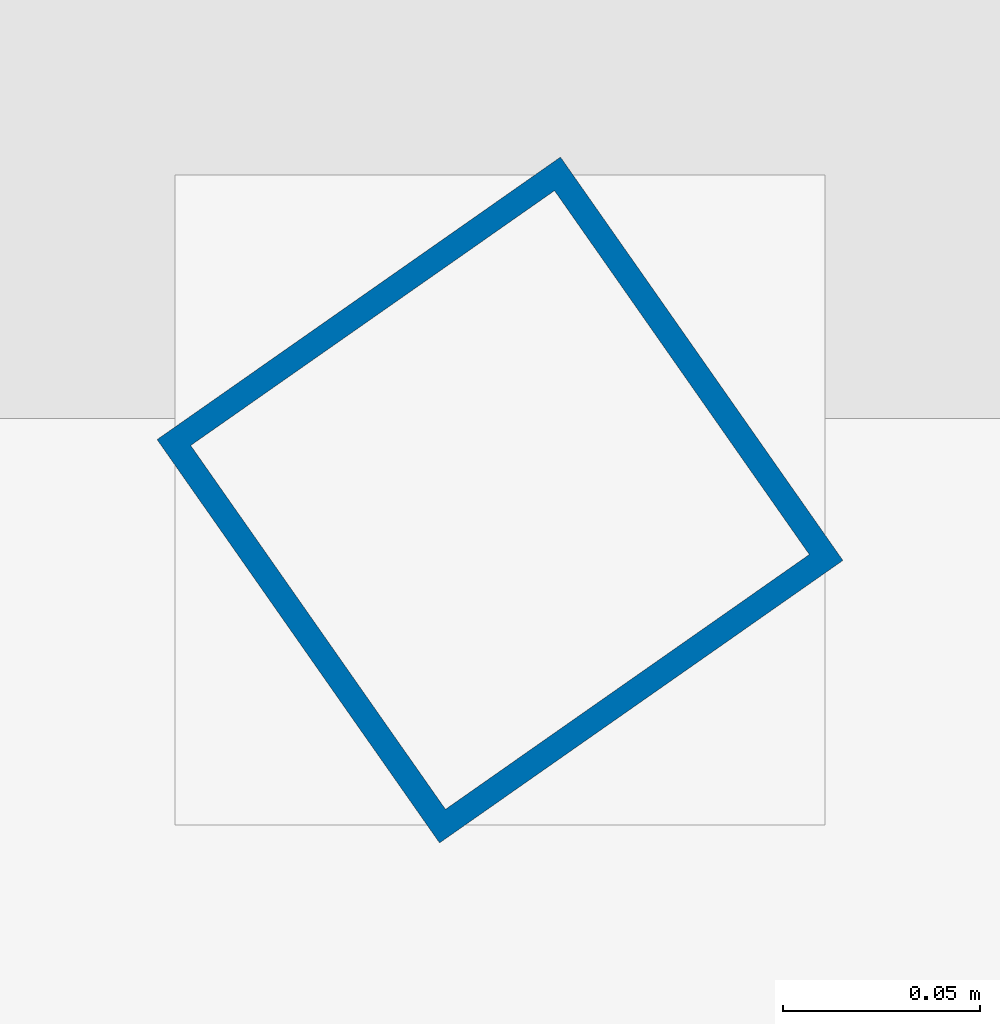
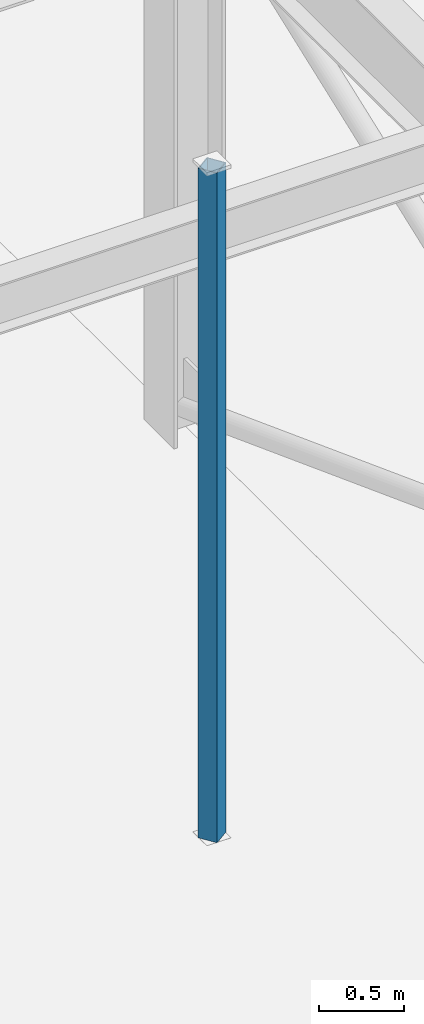
# One storey, part 26 of 226: 1 column.
"""IFC4 building model written with IfcOpenShell, lengths in metres."""

from ifc_helpers import new_model, si_unit, direction, frame, origin, origin_2d, place, context, subcontext, project, spatial, hollow_rectangle, extrude, material, material_profile, profile_set, type_object, element, save


model = new_model("IFC4")

# Units and contexts
model_context = context("Model", 3, precision=1e-05, world=origin(), true_north=direction((0.0, 1.0)))
body_context = subcontext(model_context, "Body", "Model", "MODEL_VIEW")
ifc_project = project(units=[si_unit("LENGTHUNIT", "METRE"), si_unit("AREAUNIT", "SQUARE_METRE"), si_unit("VOLUMEUNIT", "CUBIC_METRE"), si_unit("PLANEANGLEUNIT", "RADIAN"), si_unit("MASSUNIT", "GRAM", prefix="KILO")], contexts=[model_context])

# Site, building, storey
site_placement = place(None, origin())
site = spatial("IfcSite", under=ifc_project, at=site_placement, CompositionType="ELEMENT")
building_placement = place(site_placement, origin())
building = spatial("IfcBuilding", under=site, at=building_placement, Name="Tarnwether General Hospital", CompositionType="ELEMENT")
storey_placement = place(building_placement, frame((0.0, 0.0, 4.800048828125)))
storey = spatial("IfcBuildingStorey", under=building, at=storey_placement, Name="L01", CompositionType="ELEMENT", Elevation=4.800048828125)

# Column
ifc_material = material(Name="Steel Grade C350L0 (350 MPa)", Category="steel")
ifc_material_profile = material_profile(ifc_material, hollow_rectangle(XDim=0.125, YDim=0.125, WallThickness=0.006103515625, at=origin_2d()), Name="SHS125x125x6")
ifc_profile_set = profile_set([ifc_material_profile], Name="Steel Grade C350L0 (350 MPa)")
column_type = type_object("IfcColumnType", Name="COL-34", PredefinedType="COLUMN", material=ifc_profile_set)
column_placement = place(storey_placement, frame((58.0439453125, 111.493896484375, 0.0), z_axis=(0.0, 0.0, 1.0), x_axis=(-0.573576436351, 0.819152044289, 0.0)))
element("IfcColumn", 1, at=column_placement, inside=storey, type_object=column_type, Name="Column COLG-L01-5804_11149", PredefinedType="COLUMN", context=body_context, shape_type="SweptSolid", body=[
    extrude(hollow_rectangle(XDim=0.125, YDim=0.125, WallThickness=0.006103515625, at=origin_2d()), origin(), (0.0, 0.0, 1.0), 4.800048828125),
])

save(model, "model.ifc")
